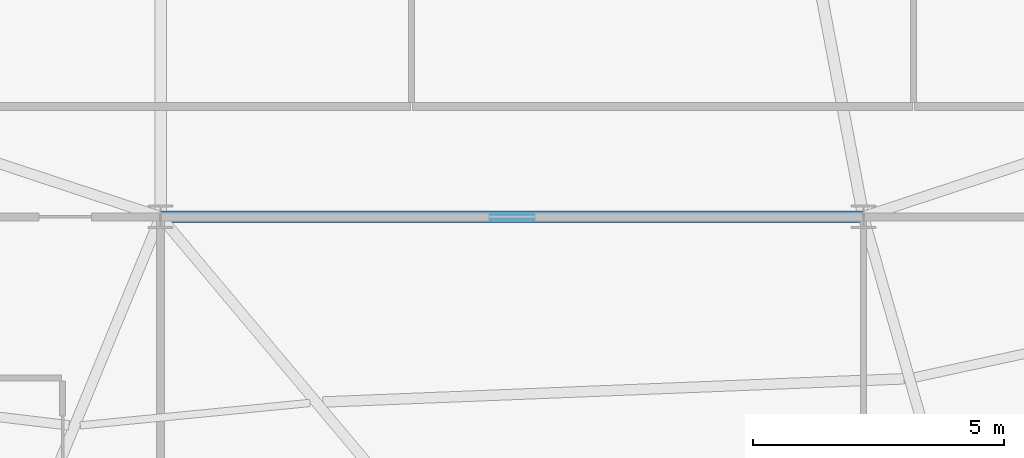
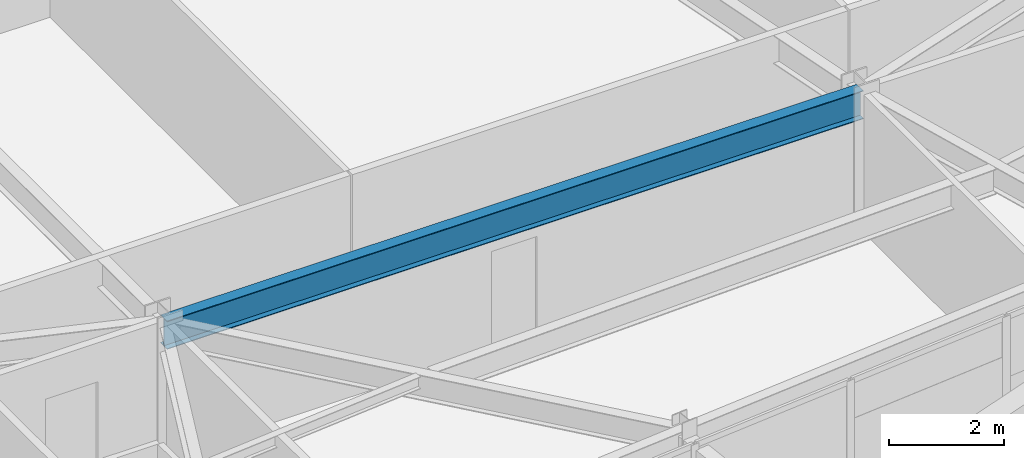
# One storey, part 12 of 53: 1 beam.
"""IFC4 building model written with IfcOpenShell, lengths in metres."""

from ifc_helpers import new_model, si_unit, direction, frame, origin, origin_2d, place, context, subcontext, project, spatial, i_section, extrude, source, transform, mapped, material, material_profile, profile_set, type_object, element, save


model = new_model("IFC4")

# Units and contexts
model_context = context("Model", 3, precision=1e-05, world=origin(), true_north=direction((0.0, 1.0)))
body_context = subcontext(model_context, "Body", "Model", "MODEL_VIEW")
ifc_project = project(units=[si_unit("LENGTHUNIT", "METRE"), si_unit("AREAUNIT", "SQUARE_METRE"), si_unit("VOLUMEUNIT", "CUBIC_METRE"), si_unit("PLANEANGLEUNIT", "RADIAN"), si_unit("MASSUNIT", "GRAM", prefix="KILO")], contexts=[model_context])

# Site, building, storey
site_placement = place(None, origin())
site = spatial("IfcSite", under=ifc_project, at=site_placement, CompositionType="ELEMENT")
building_placement = place(site_placement, origin())
building = spatial("IfcBuilding", under=site, at=building_placement, Name="Taldren Reach Tower", CompositionType="ELEMENT")
storey_placement = place(building_placement, frame((0.0, 0.0, 80.85009765625)))
storey = spatial("IfcBuildingStorey", under=building, at=storey_placement, Name="L24", CompositionType="ELEMENT", Elevation=80.85009765625)

# Beam
ifc_material = material(Name="Steel Gr 350 (350PLUS)", Category="steel")
ifc_material_profile = material_profile(ifc_material, i_section(OverallWidth=0.22802734375, OverallDepth=0.60205078125, WebThickness=0.010498046875, FlangeThickness=0.014892578125, at=origin_2d()), Name="610UB101")
ifc_profile_set = profile_set([ifc_material_profile], Name="Steel Gr 350 (350PLUS)")
beam_type = type_object("IfcBeamType", Name="BM-UB610B", PredefinedType="BEAM", material=ifc_profile_set)
shared_shape = source(origin(), body_context, "Body", "SweptSolid", [
    extrude(i_section(OverallWidth=0.22802734375, OverallDepth=0.60205078125, WebThickness=0.010498046875, FlangeThickness=0.014892578125, at=origin_2d()), origin(), (0.0, 0.0, 1.0), 14.0),
])
beam_placement = place(storey_placement, frame((28.0, 9.199951171875, 2.62890625), z_axis=(1.0, 0.0, 0.0), x_axis=(0.0, 1.0, 0.0)))
element("IfcBeam", 1, at=beam_placement, inside=storey, type_object=beam_type, Name="Core-spine girder L24-SP11", PredefinedType="BEAM", context=body_context, shape_type="MappedRepresentation", body=[
    mapped(shared_shape, transform((0.0, 0.0, 0.0), scale=1.0)),
])

save(model, "model.ifc")
